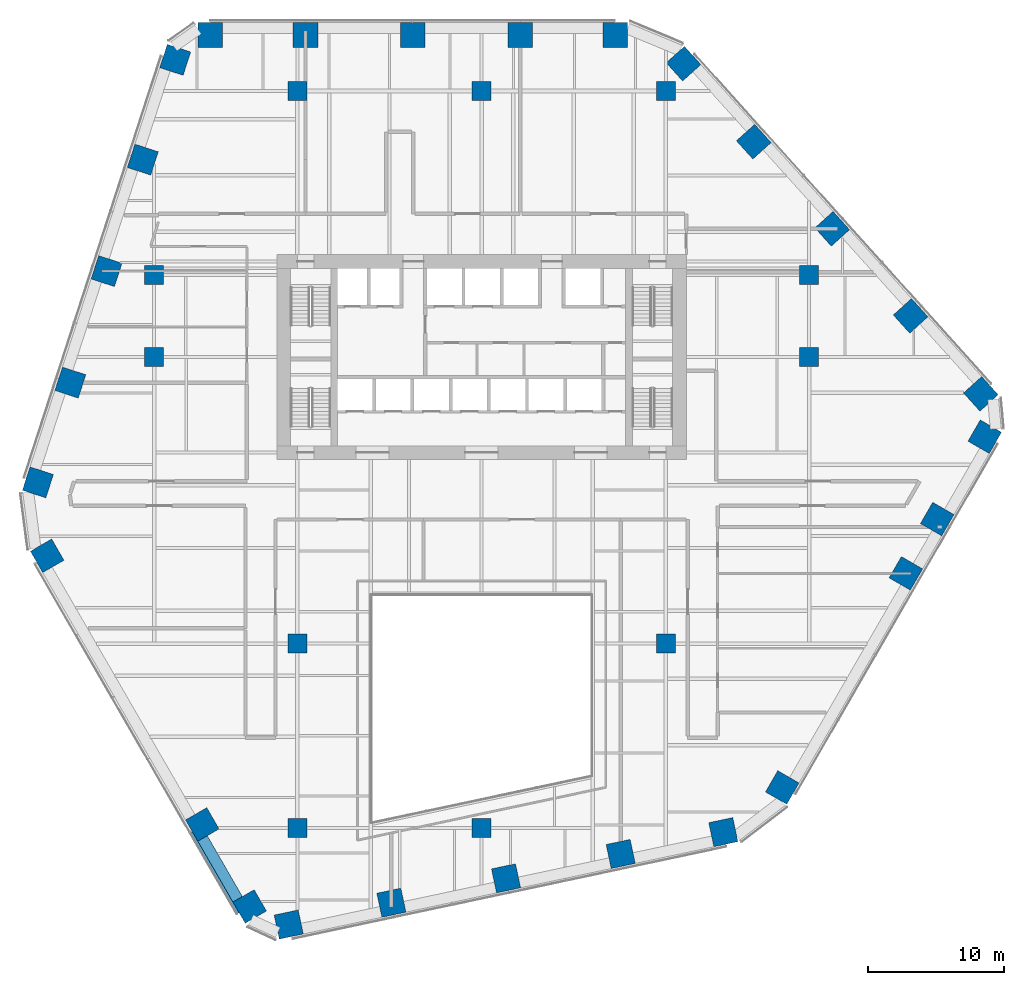
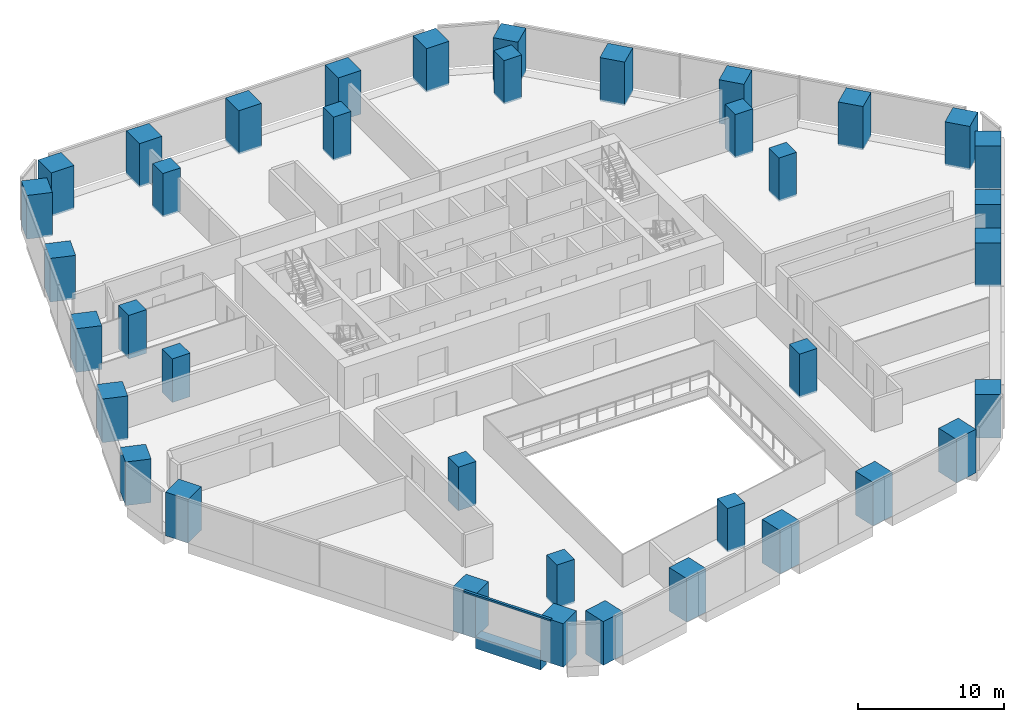
# One storey, part 1 of 20: 38 columns, 1 beam, 1 member, 1 element without a shape of its own.
"""IFC4 building model written with IfcOpenShell, lengths in metres."""

from ifc_helpers import new_model, si_unit, direction, frame, origin, origin_2d, place, context, subcontext, project, spatial, rectangle, extrude, material, layer, layer_set, material_profile, profile_set, type_object, element, aggregate, save


model = new_model("IFC4")

# Units and contexts
model_context = context("Model", 3, precision=1e-05, world=origin(), true_north=direction((0.0, 1.0)))
body_context = subcontext(model_context, "Body", "Model", "MODEL_VIEW")
ifc_project = project(units=[si_unit("LENGTHUNIT", "METRE"), si_unit("AREAUNIT", "SQUARE_METRE"), si_unit("VOLUMEUNIT", "CUBIC_METRE"), si_unit("PLANEANGLEUNIT", "RADIAN"), si_unit("MASSUNIT", "GRAM", prefix="KILO")], contexts=[model_context])

# Site, building, storey
site_placement = place(None, origin())
site = spatial("IfcSite", under=ifc_project, at=site_placement, CompositionType="ELEMENT")
building_placement = place(site_placement, origin())
building = spatial("IfcBuilding", under=site, at=building_placement, Name="Isthmus Gate Tower", CompositionType="ELEMENT")
storey_placement = place(building_placement, frame((0.0, 0.0, 65.199951171875)))
storey = spatial("IfcBuildingStorey", under=building, at=storey_placement, Name="L14", CompositionType="ELEMENT", Elevation=65.199951171875)

# Columns
ifc_material_1 = material(Name="Concrete f'c 70 MPa", Category="concrete")
ifc_material_profile_1 = material_profile(ifc_material_1, rectangle(XDim=1.39990234375, YDim=1.39990234375, at=origin_2d()), Name="RC 1400X1400")
ifc_profile_set_1 = profile_set([ifc_material_profile_1], Name="Concrete f'c 70 MPa")
column_type_1 = type_object("IfcColumnType", Name="RC INTERIOR COLUMN 1400 X 1400", PredefinedType="COLUMN", material=ifc_profile_set_1)
for number, where, z_axis, x_axis, name in (
    (1, (-24.0, 7.5, -0.14990234375), (0.0, 0.0, 1.0), (1.0, 0.0, 0.0), "str-icol-L14-ICA3"),
    (2, (-24.0, 13.5, -0.14990234375), (0.0, 0.0, 1.0), (1.0, 0.0, 0.0), "str-icol-L14-ICA4"),
    (3, (-13.5, -27.0, -0.14990234375), (0.0, 0.0, 1.0), (1.0, 0.0, 0.0), "str-icol-L14-ICB1"),
    (4, (-13.5, -13.5, -0.14990234375), (0.0, 0.0, 1.0), (1.0, 0.0, 0.0), "str-icol-L14-ICB2"),
    (5, (-13.5, 27.0, -0.14990234375), (0.0, 0.0, 1.0), (1.0, 0.0, 0.0), "str-icol-L14-ICB5"),
    (6, (0.0, -27.0, -0.14990234375), (0.0, 0.0, 1.0), (1.0, 0.0, 0.0), "str-icol-L14-ICC1"),
    (7, (0.0, 27.0, -0.14990234375), (0.0, 0.0, 1.0), (1.0, 0.0, 0.0), "str-icol-L14-ICC5"),
    (8, (13.5, -13.5, -0.14990234375), (0.0, 0.0, 1.0), (1.0, 0.0, 0.0), "str-icol-L14-ICD2"),
    (9, (13.5, 27.0, -0.14990234375), (0.0, 0.0, 1.0), (1.0, 0.0, 0.0), "str-icol-L14-ICD5"),
    (10, (24.0, 7.5, -0.14990234375), (0.0, 0.0, 1.0), (1.0, 0.0, 0.0), "str-icol-L14-ICE3"),
    (11, (24.0, 13.5, -0.14990234375), (0.0, 0.0, 1.0), (1.0, 0.0, 0.0), "str-icol-L14-ICE4"),
):
    element("IfcColumn", number, at=place(storey_placement, frame(where, z_axis=z_axis, x_axis=x_axis)), inside=storey, type_object=column_type_1, Name=name, PredefinedType="COLUMN", context=body_context, shape_type="SweptSolid", body=[
        extrude(rectangle(XDim=1.39990234375, YDim=1.39990234375, at=origin_2d()), origin(), (0.0, 0.0, 1.0), 3.64990234375),
    ])
ifc_material_2 = material(Name="Concrete f'c 70 MPa", Category="concrete")
ifc_material_profile_2 = material_profile(ifc_material_2, rectangle(XDim=1.800048828125, YDim=1.800048828125, at=origin_2d()), Name="RC 1800X1800")
ifc_profile_set_2 = profile_set([ifc_material_profile_2], Name="Concrete f'c 70 MPa")
column_type_2 = type_object("IfcColumnType", Name="RC TUBE COLUMN 1800 X 1800", PredefinedType="COLUMN", material=ifc_profile_set_2)
for number, where, z_axis, x_axis, name in (
    (12, (9.8017578125, 31.10009765625, -0.14990234375), (0.0, 0.0, 1.0), (-1.0, 0.0, 0.0), "str-tcol-L14-T1N0"),
    (13, (2.832275390625, 31.10009765625, -0.14990234375), (0.0, 0.0, 1.0), (-1.0, 0.0, 0.0), "str-tcol-L14-T1N1"),
    (14, (-5.037109375, 31.10009765625, -0.14990234375), (0.0, 0.0, 1.0), (-1.0, 0.0, 0.0), "str-tcol-L14-T1N2"),
    (15, (-12.90673828125, 31.10009765625, -0.14990234375), (0.0, 0.0, 1.0), (-1.0, 0.0, 0.0), "str-tcol-L14-T1N3"),
    (16, (-19.876220703125, 31.10009765625, -0.14990234375), (0.0, 0.0, 1.0), (-1.0, 0.0, 0.0), "str-tcol-L14-T1N4"),
    (17, (-22.451171875, 29.281005859375, -0.14990234375), (0.0, 0.0, 1.0), (-0.309016994375, -0.951056516295, 0.0), "str-tcol-L14-T1NW0"),
    (18, (-24.827392578125, 21.9677734375, -0.14990234375), (0.0, 0.0, 1.0), (-0.309016994375, -0.951056516295, 0.0), "str-tcol-L14-T1NW1"),
    (19, (-27.481689453125, 13.798828125, -0.14990234375), (0.0, 0.0, 1.0), (-0.309016994375, -0.951056516295, 0.0), "str-tcol-L14-T1NW2"),
    (20, (-30.135986328125, 5.6298828125, -0.14990234375), (0.0, 0.0, 1.0), (-0.309016994375, -0.951056516295, 0.0), "str-tcol-L14-T1NW3"),
    (21, (-32.511962890625, -1.68310546875, -0.14990234375), (0.0, 0.0, 1.0), (-0.309016994375, -0.951056516295, 0.0), "str-tcol-L14-T1NW4"),
    (22, (-31.834228515625, -7.061279296875, -0.14990234375), (0.0, 0.0, 1.0), (0.5, -0.866025403784, 0.0), "str-tcol-L14-T1SW0"),
    (23, (-20.467041015625, -26.75, -0.14990234375), (0.0, 0.0, 1.0), (0.5, -0.866025403784, 0.0), "str-tcol-L14-T1SW2"),
    (24, (-16.995361328125, -32.763427734375, -0.14990234375), (0.0, 0.0, 1.0), (0.5, -0.866025403784, 0.0), "str-tcol-L14-T1SW3"),
    (25, (-14.13232421875, -34.083740234375, -0.14990234375), (0.0, 0.0, 1.0), (0.978147600734, 0.207911690818, 0.0), "str-tcol-L14-T1S0"),
    (26, (-6.611083984375, -32.485107421875, -0.14990234375), (0.0, 0.0, 1.0), (0.978147600734, 0.207911690818, 0.0), "str-tcol-L14-T1S1"),
    (27, (1.79052734375, -30.69921875, -0.14990234375), (0.0, 0.0, 1.0), (0.978147600734, 0.207911690818, 0.0), "str-tcol-L14-T1S2"),
    (28, (10.192138671875, -28.91357421875, -0.14990234375), (0.0, 0.0, 1.0), (0.978147600734, 0.207911690818, 0.0), "str-tcol-L14-T1S3"),
    (29, (17.713623046875, -27.314697265625, -0.14990234375), (0.0, 0.0, 1.0), (0.978147600734, 0.207911690818, 0.0), "str-tcol-L14-T1S4"),
    (30, (22.032470703125, -24.03857421875, -0.14990234375), (0.0, 0.0, 1.0), (0.5, 0.866025403784, 0.0), "str-tcol-L14-T1SE0"),
    (31, (31.09033203125, -8.35009765625, -0.14990234375), (0.0, 0.0, 1.0), (0.5, 0.866025403784, 0.0), "str-tcol-L14-T1SE1"),
    (32, (33.38671875, -4.37255859375, -0.14990234375), (0.0, 0.0, 1.0), (0.5, 0.866025403784, 0.0), "str-tcol-L14-T1SE2"),
    (33, (36.87158203125, 1.663330078125, -0.14990234375), (0.0, 0.0, 1.0), (0.5, 0.866025403784, 0.0), "str-tcol-L14-T1SE3"),
    (34, (36.583740234375, 4.802978515625, -0.14990234375), (0.0, 0.0, 1.0), (-0.669130606359, 0.743144825477, 0.0), "str-tcol-L14-T1NE0"),
    (35, (31.4384765625, 10.517333984375, -0.14990234375), (0.0, 0.0, 1.0), (-0.669130606359, 0.743144825477, 0.0), "str-tcol-L14-T1NE1"),
    (36, (25.691162109375, 16.900390625, -0.14990234375), (0.0, 0.0, 1.0), (-0.669130606359, 0.743144825477, 0.0), "str-tcol-L14-T1NE2"),
    (37, (19.943603515625, 23.283447265625, -0.14990234375), (0.0, 0.0, 1.0), (-0.669130606359, 0.743144825477, 0.0), "str-tcol-L14-T1NE3"),
    (38, (14.798583984375, 28.997802734375, -0.14990234375), (0.0, 0.0, 1.0), (-0.669130606359, 0.743144825477, 0.0), "str-tcol-L14-T1NE4"),
):
    element("IfcColumn", number, at=place(storey_placement, frame(where, z_axis=z_axis, x_axis=x_axis)), inside=storey, type_object=column_type_2, Name=name, PredefinedType="COLUMN", context=body_context, shape_type="SweptSolid", body=[
        extrude(rectangle(XDim=1.800048828125, YDim=1.800048828125, at=origin_2d()), origin(), (0.0, 0.0, 1.0), 3.64990234375),
    ])

# Curtain wall, member
ifc_material_3 = material(Name="Aluminium, pale champagne anodised", Category="aluminium")
ifc_layer = layer(ifc_material_3, 0.199951171875)
ifc_layer_set = layer_set([ifc_layer], Name="CW-1 UNITISED CURTAIN WALL 200 DEEP")
curtain_wall_type = type_object("IfcCurtainWallType", Name="CW-1 UNITISED CURTAIN WALL 200 DEEP", PredefinedType="NOTDEFINED", material=ifc_layer_set)
curtain_wall_placement = place(storey_placement, origin())
curtain_wall = element("IfcCurtainWall", 39, at=curtain_wall_placement, inside=storey, type_object=curtain_wall_type, Name="CW-1 SW L14", PredefinedType="NOTDEFINED")
ifc_material_4 = material(Name="Aluminium, pale champagne anodised", Category="aluminium")
ifc_material_profile_3 = material_profile(ifc_material_4, rectangle(XDim=0.199951171875, YDim=0.14990234375, at=origin_2d()), Name="200x150")
ifc_profile_set_3 = profile_set([ifc_material_profile_3], Name="Aluminium, pale champagne anodised")
member_type = type_object("IfcMemberType", Name="CW-1 TRANSOM 200 X 150", PredefinedType="USERDEFINED", material=ifc_profile_set_3)
member_placement = place(storey_placement, frame((-21.302978515625, -27.302001953125, 3.574951171875), z_axis=(0.499980345582, -0.86603675097, 0.0), x_axis=(0.86603675097, 0.499980345582, 0.0)))
member = element("IfcMember", 40, at=member_placement, type_object=member_type, Name="CW-1 transom", ObjectType="TRANSOM", PredefinedType="USERDEFINED", context=body_context, shape_type="SweptSolid", body=[
    extrude(rectangle(XDim=0.199951171875, YDim=0.14990234375, at=origin_2d()), origin(), (0.0, 0.0, 1.0), 6.883544921875),
])
aggregate(curtain_wall, [member])

# Beam
ifc_material_5 = material(Name="Concrete f'c 70 MPa", Category="concrete")
ifc_material_profile_4 = material_profile(ifc_material_5, rectangle(XDim=0.800048828125, YDim=1.0, at=origin_2d()), Name="RC 800X1000")
ifc_profile_set_4 = profile_set([ifc_material_profile_4], Name="Concrete f'c 70 MPa")
beam_type = type_object("IfcBeamType", Name="RC SPANDREL 800 X 1000", PredefinedType="SPANDREL", material=ifc_profile_set_4)
beam_placement = place(storey_placement, frame((-17.878173828125, -32.23388671875, -0.5), z_axis=(-0.500044296292, 0.865999827798, 0.0), x_axis=(-0.865999827798, -0.500044296292, 0.0)))
element("IfcBeam", 41, at=beam_placement, inside=storey, type_object=beam_type, Name="str-spandrel-L14-15", PredefinedType="SPANDREL", context=body_context, shape_type="SweptSolid", body=[
    extrude(rectangle(XDim=0.800048828125, YDim=1.0, at=origin_2d()), origin(), (0.0, 0.0, 1.0), 5.1435546875),
])

save(model, "model.ifc")
